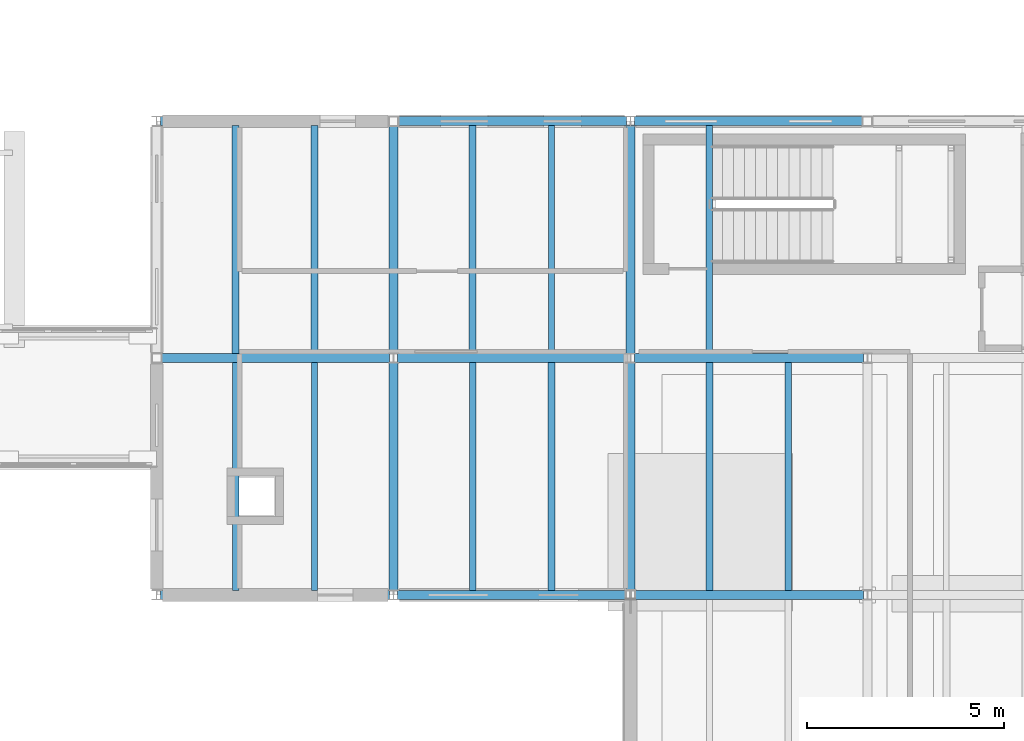
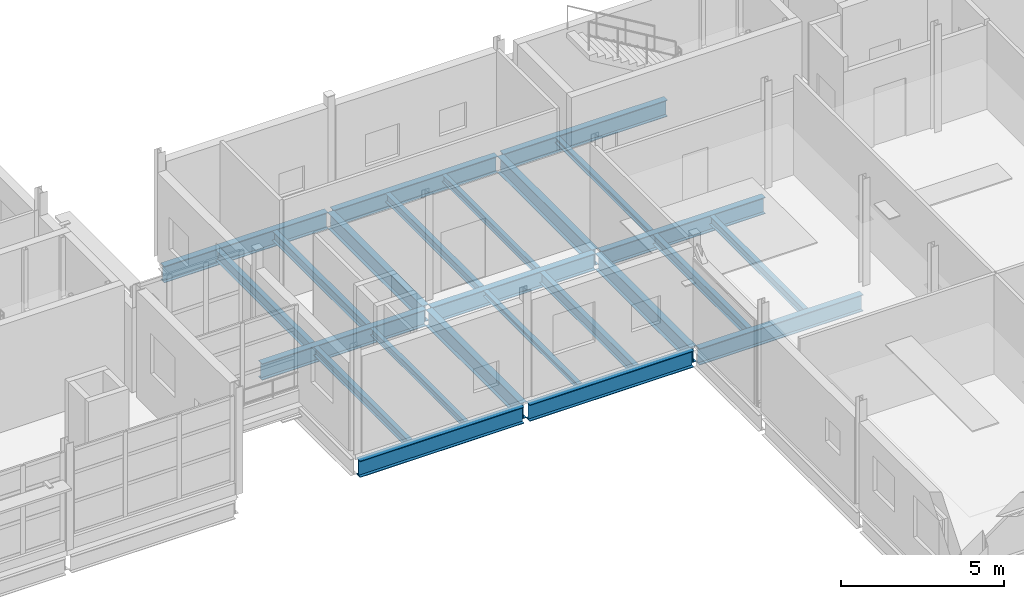
# One storey, part 25 of 92: 24 beams.
"""IFC4 building model written with IfcOpenShell, lengths in metres."""

from ifc_helpers import new_model, si_unit, direction, frame, origin, origin_2d, place, context, subcontext, project, spatial, i_section, extrude, material, material_profile, profile_set, type_object, element, save


model = new_model("IFC4")

# Units and contexts
model_context = context("Model", 3, precision=1e-05, world=origin(), true_north=direction((0.0, 1.0)))
body_context = subcontext(model_context, "Body", "Model", "MODEL_VIEW")
ifc_project = project(units=[si_unit("LENGTHUNIT", "METRE"), si_unit("AREAUNIT", "SQUARE_METRE"), si_unit("VOLUMEUNIT", "CUBIC_METRE"), si_unit("PLANEANGLEUNIT", "RADIAN"), si_unit("MASSUNIT", "GRAM", prefix="KILO")], contexts=[model_context])

# Site, building, storey
site_placement = place(None, origin())
site = spatial("IfcSite", under=ifc_project, at=site_placement, CompositionType="ELEMENT")
building_placement = place(site_placement, origin())
building = spatial("IfcBuilding", under=site, at=building_placement, Name="Siltcreek Boulevard Central Fire Station", CompositionType="ELEMENT")
storey_placement = place(building_placement, frame((0.0, 0.0, 6.0)))
storey = spatial("IfcBuildingStorey", under=building, at=storey_placement, Name="L02", CompositionType="ELEMENT", Elevation=6.0)

# Beams
ifc_material = material(Name="Structural steel ASTM A992 Gr50", Category="steel")
ifc_material_profile_1 = material_profile(ifc_material, i_section(OverallWidth=0.22802734375, OverallDepth=0.60791015625, WebThickness=0.01123046875, FlangeThickness=0.017333984375, at=origin_2d()), Name="W610X113")
ifc_profile_set_1 = profile_set([ifc_material_profile_1], Name="Structural steel ASTM A992 Gr50")
beam_type_1 = type_object("IfcBeamType", Name="BM_W610X113", PredefinedType="BEAM", material=ifc_profile_set_1)
for number, where, z_axis, x_axis, name in (
    (1, (118.199951171875, 18.10009765625, -0.6240234375), (0.0, 1.0, 0.0), (-1.0, 0.0, 0.0), "L02 primary steel girder GY-0278"),
    (2, (118.199951171875, 24.10009765625, -0.6240234375), (0.0, 1.0, 0.0), (-1.0, 0.0, 0.0), "L02 primary steel girder GY-0279"),
    (3, (124.199951171875, 18.10009765625, -0.6240234375), (0.0, 1.0, 0.0), (-1.0, 0.0, 0.0), "L02 primary steel girder GY-0283"),
    (4, (124.199951171875, 24.10009765625, -0.6240234375), (0.0, 1.0, 0.0), (-1.0, 0.0, 0.0), "L02 primary steel girder GY-0284"),
):
    element("IfcBeam", number, at=place(storey_placement, frame(where, z_axis=z_axis, x_axis=x_axis)), inside=storey, type_object=beam_type_1, Name=name, PredefinedType="BEAM", context=body_context, shape_type="SweptSolid", body=[
        extrude(i_section(OverallWidth=0.22802734375, OverallDepth=0.60791015625, WebThickness=0.01123046875, FlangeThickness=0.017333984375, at=origin_2d()), origin(), (0.0, 0.0, 1.0), 5.7998046875),
    ])
ifc_material_profile_2 = material_profile(ifc_material, i_section(OverallWidth=0.22998046875, OverallDepth=0.616943359375, WebThickness=0.01318359375, FlangeThickness=0.022216796875, at=origin_2d()), Name="W610X140")
ifc_profile_set_2 = profile_set([ifc_material_profile_2], Name="Structural steel ASTM A992 Gr50")
beam_type_2 = type_object("IfcBeamType", Name="BM_W610X140", PredefinedType="BEAM", material=ifc_profile_set_2)
for number, where, z_axis, x_axis, name in (
    (5, (112.300048828125, 18.0, -0.62841796875), (1.0, 0.0, 0.0), (0.0, 1.0, 0.0), "L02 primary steel girder GX-0249"),
    (6, (118.300048828125, 18.0, -0.62841796875), (1.0, 0.0, 0.0), (0.0, 1.0, 0.0), "L02 primary steel girder GX-0250"),
    (7, (124.300048828125, 18.0, -0.62841796875), (1.0, 0.0, 0.0), (0.0, 1.0, 0.0), "L02 primary steel girder GX-0251"),
    (8, (112.300048828125, 24.0, -0.62841796875), (1.0, 0.0, 0.0), (0.0, 1.0, 0.0), "L02 primary steel girder GX-0258"),
    (9, (118.300048828125, 24.0, -0.62841796875), (1.0, 0.0, 0.0), (0.0, 1.0, 0.0), "L02 primary steel girder GX-0259"),
    (10, (124.300048828125, 24.0, -0.62841796875), (1.0, 0.0, 0.0), (0.0, 1.0, 0.0), "L02 primary steel girder GX-0260"),
    (11, (112.300048828125, 30.0, -0.62841796875), (1.0, 0.0, 0.0), (0.0, 1.0, 0.0), "L02 primary steel girder GX-0267"),
    (12, (118.300048828125, 30.0, -0.62841796875), (1.0, 0.0, 0.0), (0.0, 1.0, 0.0), "L02 primary steel girder GX-0268"),
    (13, (124.300048828125, 30.0, -0.62841796875), (1.0, 0.0, 0.0), (0.0, 1.0, 0.0), "L02 primary steel girder GX-0269"),
):
    element("IfcBeam", number, at=place(storey_placement, frame(where, z_axis=z_axis, x_axis=x_axis)), inside=storey, type_object=beam_type_2, Name=name, PredefinedType="BEAM", context=body_context, shape_type="SweptSolid", body=[
        extrude(i_section(OverallWidth=0.22998046875, OverallDepth=0.616943359375, WebThickness=0.01318359375, FlangeThickness=0.022216796875, at=origin_2d()), origin(), (0.0, 0.0, 1.0), 5.800048828125),
    ])
ifc_material_profile_3 = material_profile(ifc_material, i_section(OverallWidth=0.1650390625, OverallDepth=0.200927734375, WebThickness=0.006103515625, FlangeThickness=0.01025390625, at=origin_2d()), Name="W200X36")
ifc_profile_set_3 = profile_set([ifc_material_profile_3], Name="Structural steel ASTM A992 Gr50")
beam_type_3 = type_object("IfcBeamType", Name="JST_W200X36", PredefinedType="JOIST", material=ifc_profile_set_3)
for number, where, z_axis, x_axis, name in (
    (14, (120.199951171875, 18.113037109375, -0.42041015625), (0.0, 1.0, 0.0), (-1.0, 0.0, 0.0), "L02 secondary steel floor joist 0237"),
    (15, (126.199951171875, 24.113037109375, -0.42041015625), (0.0, 1.0, 0.0), (-1.0, 0.0, 0.0), "L02 secondary steel floor joist 0257"),
):
    element("IfcBeam", number, at=place(storey_placement, frame(where, z_axis=z_axis, x_axis=x_axis)), inside=storey, type_object=beam_type_3, Name=name, PredefinedType="JOIST", context=body_context, shape_type="SweptSolid", body=[
        extrude(i_section(OverallWidth=0.1650390625, OverallDepth=0.200927734375, WebThickness=0.006103515625, FlangeThickness=0.01025390625, at=origin_2d()), origin(), (0.0, 0.0, 1.0), 5.77392578125),
    ])
ifc_material_profile_4 = material_profile(ifc_material, i_section(OverallWidth=0.14697265625, OverallDepth=0.261962890625, WebThickness=0.006591796875, FlangeThickness=0.01123046875, at=origin_2d()), Name="W250X39")
ifc_profile_set_4 = profile_set([ifc_material_profile_4], Name="Structural steel ASTM A992 Gr50")
beam_type_4 = type_object("IfcBeamType", Name="JST_W250X39", PredefinedType="JOIST", material=ifc_profile_set_4)
for number, where, z_axis, x_axis, name in (
    (16, (116.199951171875, 18.113037109375, -0.450927734375), (0.0, 1.0, 0.0), (-1.0, 0.0, 0.0), "L02 secondary steel floor joist 0236"),
    (17, (122.199951171875, 24.113037109375, -0.450927734375), (0.0, 1.0, 0.0), (-1.0, 0.0, 0.0), "L02 secondary steel floor joist 0256"),
):
    element("IfcBeam", number, at=place(storey_placement, frame(where, z_axis=z_axis, x_axis=x_axis)), inside=storey, type_object=beam_type_4, Name=name, PredefinedType="JOIST", context=body_context, shape_type="SweptSolid", body=[
        extrude(i_section(OverallWidth=0.14697265625, OverallDepth=0.261962890625, WebThickness=0.006591796875, FlangeThickness=0.01123046875, at=origin_2d()), origin(), (0.0, 0.0, 1.0), 5.77392578125),
    ])
ifc_material_profile_5 = material_profile(ifc_material, i_section(OverallWidth=0.166015625, OverallDepth=0.31298828125, WebThickness=0.006591796875, FlangeThickness=0.01123046875, at=origin_2d()), Name="W310X45")
ifc_profile_set_5 = profile_set([ifc_material_profile_5], Name="Structural steel ASTM A992 Gr50")
beam_type_5 = type_object("IfcBeamType", Name="JST_W310X45", PredefinedType="JOIST", material=ifc_profile_set_5)
for number, where, z_axis, x_axis, name in (
    (18, (114.199951171875, 18.113037109375, -0.4765625), (0.0, 1.0, 0.0), (-1.0, 0.0, 0.0), "L02 secondary steel floor joist 0235"),
    (19, (128.199951171875, 18.113037109375, -0.4765625), (0.0, 1.0, 0.0), (-1.0, 0.0, 0.0), "L02 secondary steel floor joist 0240"),
    (20, (120.199951171875, 24.113037109375, -0.4765625), (0.0, 1.0, 0.0), (-1.0, 0.0, 0.0), "L02 secondary steel floor joist 0255"),
):
    element("IfcBeam", number, at=place(storey_placement, frame(where, z_axis=z_axis, x_axis=x_axis)), inside=storey, type_object=beam_type_5, Name=name, PredefinedType="JOIST", context=body_context, shape_type="SweptSolid", body=[
        extrude(i_section(OverallWidth=0.166015625, OverallDepth=0.31298828125, WebThickness=0.006591796875, FlangeThickness=0.01123046875, at=origin_2d()), origin(), (0.0, 0.0, 1.0), 5.77392578125),
    ])
ifc_material_profile_6 = material_profile(ifc_material, i_section(OverallWidth=0.172119140625, OverallDepth=0.35791015625, WebThickness=0.0078125, FlangeThickness=0.01318359375, at=origin_2d()), Name="W360X57")
ifc_profile_set_6 = profile_set([ifc_material_profile_6], Name="Structural steel ASTM A992 Gr50")
beam_type_6 = type_object("IfcBeamType", Name="JST_W360X57", PredefinedType="JOIST", material=ifc_profile_set_6)
for number, where, z_axis, x_axis, name in (
    (21, (126.199951171875, 18.113037109375, -0.4990234375), (0.0, 1.0, 0.0), (-1.0, 0.0, 0.0), "L02 secondary steel floor joist 0239"),
    (22, (116.199951171875, 24.113037109375, -0.4990234375), (0.0, 1.0, 0.0), (-1.0, 0.0, 0.0), "L02 secondary steel floor joist 0254"),
):
    element("IfcBeam", number, at=place(storey_placement, frame(where, z_axis=z_axis, x_axis=x_axis)), inside=storey, type_object=beam_type_6, Name=name, PredefinedType="JOIST", context=body_context, shape_type="SweptSolid", body=[
        extrude(i_section(OverallWidth=0.172119140625, OverallDepth=0.35791015625, WebThickness=0.0078125, FlangeThickness=0.01318359375, at=origin_2d()), origin(), (0.0, 0.0, 1.0), 5.77392578125),
    ])
ifc_material_profile_7 = material_profile(ifc_material, i_section(OverallWidth=0.177001953125, OverallDepth=0.403076171875, WebThickness=0.007568359375, FlangeThickness=0.010986328125, at=origin_2d()), Name="W410X53")
ifc_profile_set_7 = profile_set([ifc_material_profile_7], Name="Structural steel ASTM A992 Gr50")
beam_type_7 = type_object("IfcBeamType", Name="JST_W410X53", PredefinedType="JOIST", material=ifc_profile_set_7)
for number, where, z_axis, x_axis, name in (
    (23, (122.199951171875, 18.113037109375, -0.521484375), (0.0, 1.0, 0.0), (-1.0, 0.0, 0.0), "L02 secondary steel floor joist 0238"),
    (24, (114.199951171875, 24.113037109375, -0.521484375), (0.0, 1.0, 0.0), (-1.0, 0.0, 0.0), "L02 secondary steel floor joist 0253"),
):
    element("IfcBeam", number, at=place(storey_placement, frame(where, z_axis=z_axis, x_axis=x_axis)), inside=storey, type_object=beam_type_7, Name=name, PredefinedType="JOIST", context=body_context, shape_type="SweptSolid", body=[
        extrude(i_section(OverallWidth=0.177001953125, OverallDepth=0.403076171875, WebThickness=0.007568359375, FlangeThickness=0.010986328125, at=origin_2d()), origin(), (0.0, 0.0, 1.0), 5.77392578125),
    ])

save(model, "model.ifc")
